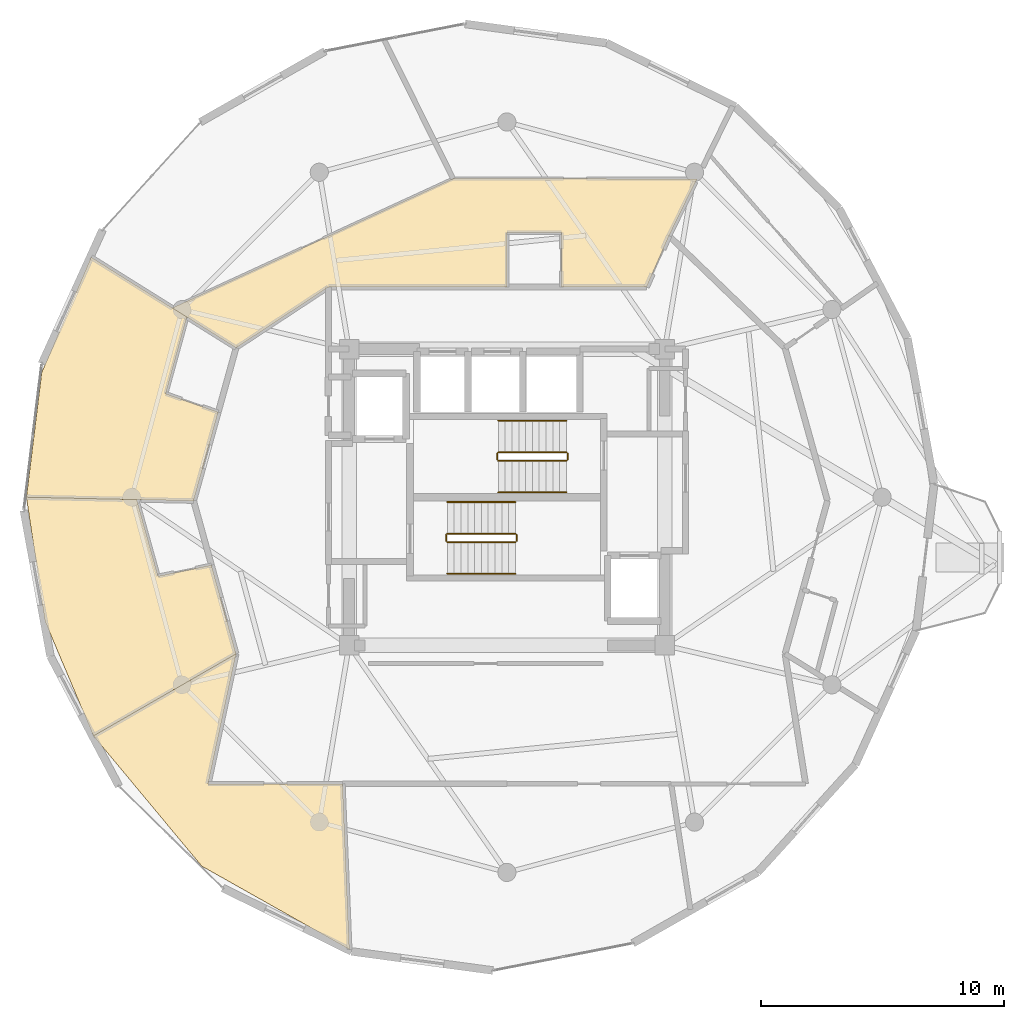
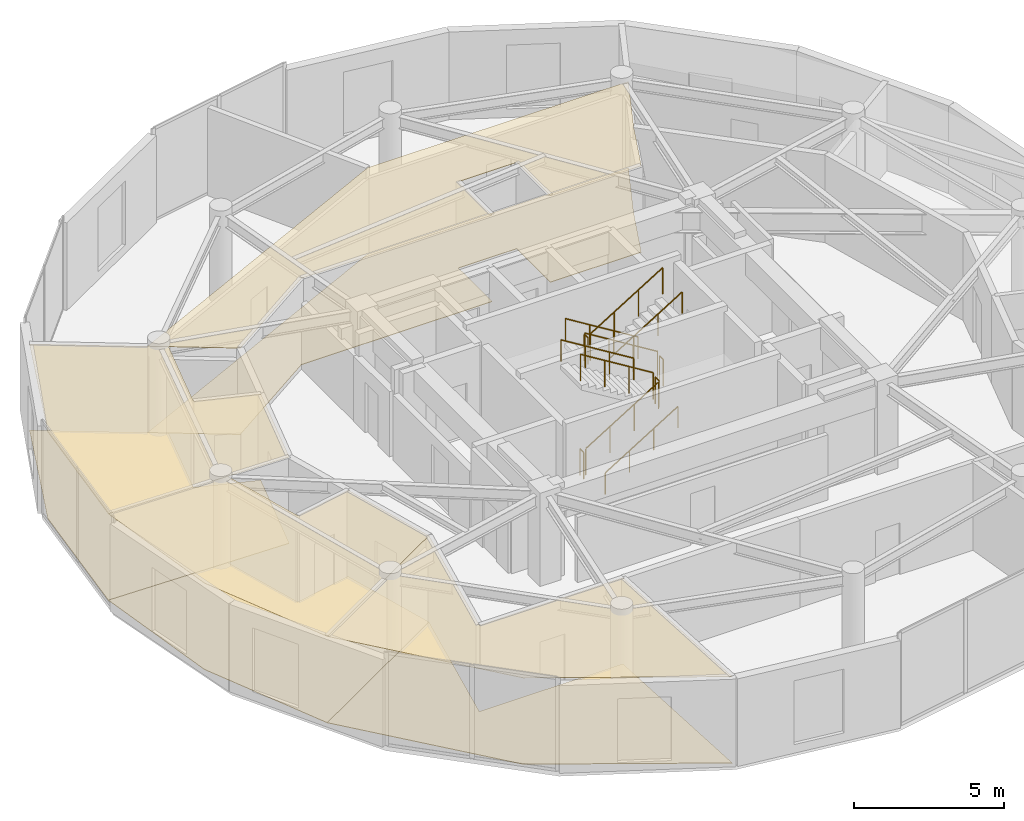
# One storey, part 17 of 18: 12 railings, 8 coverings.
"""IFC4 building model written with IfcOpenShell, lengths in metres."""

from ifc_helpers import new_model, si_unit, direction, frame, origin, origin_2d, place, context, subcontext, project, spatial, polyline, circle, outline, extrude, material, layer, layer_set, type_object, element, save


model = new_model("IFC4")

# Units and contexts
model_context = context("Model", 3, precision=1e-05, world=origin(), true_north=direction((0.0, 1.0)))
body_context = subcontext(model_context, "Body", "Model", "MODEL_VIEW")
ifc_project = project(units=[si_unit("LENGTHUNIT", "METRE"), si_unit("AREAUNIT", "SQUARE_METRE"), si_unit("VOLUMEUNIT", "CUBIC_METRE"), si_unit("PLANEANGLEUNIT", "RADIAN"), si_unit("MASSUNIT", "GRAM", prefix="KILO")], contexts=[model_context])

# Site, building, storey
site_placement = place(None, origin())
site = spatial("IfcSite", under=ifc_project, at=site_placement, CompositionType="ELEMENT")
building_placement = place(site_placement, origin())
building = spatial("IfcBuilding", under=site, at=building_placement, Name="Solvirekh Grand Hotel", CompositionType="ELEMENT")
storey_placement = place(building_placement, frame((0.0, 0.0, 274.39990234375)))
storey = spatial("IfcBuildingStorey", under=building, at=storey_placement, Name="L71", CompositionType="ELEMENT", Elevation=274.39990234375)

# Coverings
ifc_material_1 = material(Name="Acoustic Mineral Ceiling Tile")
ifc_layer_1 = layer(ifc_material_1, 0.02490234375)
ifc_layer_set_1 = layer_set([ifc_layer_1], Name="Acoustic Mineral Ceiling Tile")
covering_type_1 = type_object("IfcCoveringType", Name="Cov_Ceiling_Acoustic", PredefinedType="CEILING", material=ifc_layer_set_1)
covering_1_placement = place(storey_placement, frame((0.0, 0.0, 3.52001953125)))
element("IfcCovering", 1, at=covering_1_placement, inside=storey, type_object=covering_type_1, Name="L71 Panorama Suite 7301 Inner Suite Lounge acoustic ceiling", PredefinedType="CEILING", context=body_context, shape_type="SweptSolid", body=[
    extrude(outline(polyline([(0.0, 8.64990234375), (0.0, 10.89990234375), (2.25, 10.89990234375), (2.25, 8.64990234375), (5.75, 8.64990234375), (6.675048828125, 10.761962890625), (7.827880859375, 13.111083984375), (-2.217041015625, 13.117919921875), (-13.777099609375, 7.79296875), (-11.152099609375, 6.14990234375), (-7.35009765625, 8.64990234375), (0.0, 8.64990234375)])), origin(), (0.0, 0.0, 1.0), 0.01806640625),
])
covering_2_placement = place(storey_placement, frame((0.0, 0.0, 3.52001953125)))
element("IfcCovering", 2, at=covering_2_placement, inside=storey, type_object=covering_type_1, Name="L71 Deluxe Guestroom 7302 acoustic ceiling", PredefinedType="CEILING", context=body_context, shape_type="SweptSolid", body=[
    extrude(outline(polyline([(-14.0458984375, 4.261962890625), (-13.179931640625, 7.4189453125), (-17.117919921875, 9.883056640625), (-19.156005859375, 5.133056640625), (-19.784912109375, 0.0), (-12.89990234375, -0.14990234375), (-11.885986328125, 3.50390625), (-14.0458984375, 4.261962890625)])), origin(), (0.0, 0.0, 1.0), 0.01806640625),
])
covering_3_placement = place(storey_placement, frame((0.0, 0.0, 3.52001953125)))
element("IfcCovering", 3, at=covering_3_placement, inside=storey, type_object=covering_type_1, Name="L71 Deluxe Guestroom 7303 acoustic ceiling", PredefinedType="CEILING", context=body_context, shape_type="SweptSolid", body=[
    extrude(outline(polyline([(-14.362060546875, -3.2490234375), (-15.240966796875, -0.09912109375), (-19.784912109375, 0.0), (-19.02197265625, -5.096923828125), (-17.02392578125, -9.8291015625), (-11.152099609375, -6.449951171875), (-12.166015625, -2.7958984375), (-14.362060546875, -3.2490234375)])), origin(), (0.0, 0.0, 1.0), 0.01806640625),
])
covering_4_placement = place(storey_placement, frame((0.0, 0.0, 3.52001953125)))
element("IfcCovering", 4, at=covering_4_placement, inside=storey, type_object=covering_type_1, Name="L71 L71 Horizon View Lounge acoustic ceiling", PredefinedType="CEILING", context=body_context, shape_type="SweptSolid", body=[
    extrude(outline(polyline([(-17.02392578125, -9.8291015625), (-12.56689453125, -15.18994140625), (-6.48388671875, -18.6201171875), (-6.764892578125, -11.800048828125), (-12.300048828125, -11.800048828125), (-11.152099609375, -6.449951171875), (-17.02392578125, -9.8291015625)])), origin(), (0.0, 0.0, 1.0), 0.01806640625),
])
ifc_material_2 = material(Name="Porcelain Stoneware Flooring", Category="masonry")
ifc_layer_2 = layer(ifc_material_2, 0.030029296875)
ifc_layer_set_2 = layer_set([ifc_layer_2], Name="Porcelain Stoneware Flooring")
covering_type_2 = type_object("IfcCoveringType", Name="Cov_Floor_Stone", PredefinedType="FLOORING", material=ifc_layer_set_2)
covering_5_placement = place(storey_placement, origin())
element("IfcCovering", 5, at=covering_5_placement, inside=storey, type_object=covering_type_2, Name="L71 Panorama Suite 7301 Inner Suite Lounge polished granite flooring", PredefinedType="FLOORING", context=body_context, shape_type="SweptSolid", body=[
    extrude(outline(polyline([(0.0, 8.64990234375), (0.0, 10.89990234375), (2.25, 10.89990234375), (2.25, 8.64990234375), (5.75, 8.64990234375), (6.675048828125, 10.761962890625), (7.827880859375, 13.111083984375), (-2.217041015625, 13.117919921875), (-13.777099609375, 7.79296875), (-11.152099609375, 6.14990234375), (-7.35009765625, 8.64990234375), (0.0, 8.64990234375)])), origin(), (0.0, 0.0, 1.0), 0.02001953125),
])
covering_6_placement = place(storey_placement, origin())
element("IfcCovering", 6, at=covering_6_placement, inside=storey, type_object=covering_type_2, Name="L71 Deluxe Guestroom 7302 polished granite flooring", PredefinedType="FLOORING", context=body_context, shape_type="SweptSolid", body=[
    extrude(outline(polyline([(-14.0458984375, 4.261962890625), (-13.179931640625, 7.4189453125), (-17.117919921875, 9.883056640625), (-19.156005859375, 5.133056640625), (-19.784912109375, 0.0), (-12.89990234375, -0.14990234375), (-11.885986328125, 3.50390625), (-14.0458984375, 4.261962890625)])), origin(), (0.0, 0.0, 1.0), 0.02001953125),
])
covering_7_placement = place(storey_placement, origin())
element("IfcCovering", 7, at=covering_7_placement, inside=storey, type_object=covering_type_2, Name="L71 Deluxe Guestroom 7303 polished granite flooring", PredefinedType="FLOORING", context=body_context, shape_type="SweptSolid", body=[
    extrude(outline(polyline([(-14.362060546875, -3.2490234375), (-15.240966796875, -0.09912109375), (-19.784912109375, 0.0), (-19.02197265625, -5.096923828125), (-17.02392578125, -9.8291015625), (-11.152099609375, -6.449951171875), (-12.166015625, -2.7958984375), (-14.362060546875, -3.2490234375)])), origin(), (0.0, 0.0, 1.0), 0.02001953125),
])
covering_8_placement = place(storey_placement, origin())
element("IfcCovering", 8, at=covering_8_placement, inside=storey, type_object=covering_type_2, Name="L71 L71 Horizon View Lounge polished granite flooring", PredefinedType="FLOORING", context=body_context, shape_type="SweptSolid", body=[
    extrude(outline(polyline([(-17.02392578125, -9.8291015625), (-12.56689453125, -15.18994140625), (-6.48388671875, -18.6201171875), (-6.764892578125, -11.800048828125), (-12.300048828125, -11.800048828125), (-11.152099609375, -6.449951171875), (-17.02392578125, -9.8291015625)])), origin(), (0.0, 0.0, 1.0), 0.02001953125),
])

# Railings
ifc_material_3 = material(Name="Steel S355", Category="steel")
railing_type_1 = type_object("IfcRailingType", Name="Guard_Stair_1100", PredefinedType="GUARDRAIL", material=ifc_material_3)
railing_1_placement = place(storey_placement, frame((-2.449951171875, -1.85009765625, 0.1728515625)))
element("IfcRailing", 9, at=railing_1_placement, inside=storey, type_object=railing_type_1, Name="L71 ST-1 stair guard 1", PredefinedType="GUARDRAIL", context=body_context, shape_type="SweptSolid", body=[
    extrude(circle(Radius=0.02392578125, at=origin_2d()), frame((0.0, 0.0, 1.076171875), z_axis=(0.851089632645, 0.0, 0.525020415988), x_axis=(0.0, 1.0, 0.0)), (0.0, 0.0, 1.0), 3.2900390625),
    extrude(circle(Radius=0.02099609375, at=origin_2d()), origin(), (0.0, 0.0, 1.0), 1.052001953125),
    extrude(circle(Radius=0.02099609375, at=origin_2d()), frame((0.933349609375, 0.0, 0.57568359375)), (0.0, 0.0, 1.0), 1.052001953125),
    extrude(circle(Radius=0.02099609375, at=origin_2d()), frame((1.86669921875, 0.0, 1.151611328125)), (0.0, 0.0, 1.0), 1.052001953125),
    extrude(circle(Radius=0.02099609375, at=origin_2d()), frame((2.800048828125, 0.0, 1.727294921875)), (0.0, 0.0, 1.0), 1.052001953125),
])
railing_2_placement = place(storey_placement, frame((0.39990234375, -1.800048828125, 1.900146484375)))
element("IfcRailing", 10, at=railing_2_placement, inside=storey, type_object=railing_type_1, Name="L71 ST-1 stair guard 2", PredefinedType="GUARDRAIL", context=body_context, shape_type="SweptSolid", body=[
    extrude(circle(Radius=0.02392578125, at=origin_2d()), frame((0.0, 0.0, 1.076171875), z_axis=(0.0, 1.0, 0.0), x_axis=(-1.0, 0.0, 0.0)), (0.0, 0.0, 1.0), 0.25),
    extrude(circle(Radius=0.02099609375, at=origin_2d()), origin(), (0.0, 0.0, 1.0), 1.052001953125),
    extrude(circle(Radius=0.02099609375, at=origin_2d()), frame((0.0, 0.25, 0.0)), (0.0, 0.0, 1.0), 1.052001953125),
])
railing_3_placement = place(storey_placement, frame((0.35009765625, -1.5, 2.07275390625)))
element("IfcRailing", 11, at=railing_3_placement, inside=storey, type_object=railing_type_1, Name="L71 ST-1 stair guard 3", PredefinedType="GUARDRAIL", context=body_context, shape_type="SweptSolid", body=[
    extrude(circle(Radius=0.02392578125, at=origin_2d()), frame((0.0, 0.0, 1.076171875), z_axis=(-0.851089632645, 0.0, 0.525020415988), x_axis=(0.0, -1.0, 0.0)), (0.0, 0.0, 1.0), 3.2900390625),
    extrude(circle(Radius=0.02099609375, at=origin_2d()), origin(), (0.0, 0.0, 1.0), 1.052001953125),
    extrude(circle(Radius=0.02099609375, at=origin_2d()), frame((-0.933349609375, 0.0, 0.57568359375)), (0.0, 0.0, 1.0), 1.052001953125),
    extrude(circle(Radius=0.02099609375, at=origin_2d()), frame((-1.86669921875, 0.0, 1.151611328125)), (0.0, 0.0, 1.0), 1.052001953125),
    extrude(circle(Radius=0.02099609375, at=origin_2d()), frame((-2.800048828125, 0.0, 1.727294921875)), (0.0, 0.0, 1.0), 1.052001953125),
])
railing_4_placement = place(storey_placement, frame((-2.5, -1.800048828125, 0.0)))
element("IfcRailing", 12, at=railing_4_placement, inside=storey, type_object=railing_type_1, Name="L71 ST-1 stair guard 4", PredefinedType="GUARDRAIL", context=body_context, shape_type="SweptSolid", body=[
    extrude(circle(Radius=0.02392578125, at=origin_2d()), frame((0.0, 0.0, 1.076171875), z_axis=(0.0, 1.0, 0.0), x_axis=(-1.0, 0.0, 0.0)), (0.0, 0.0, 1.0), 0.25),
    extrude(circle(Radius=0.02099609375, at=origin_2d()), origin(), (0.0, 0.0, 1.0), 1.052001953125),
    extrude(circle(Radius=0.02099609375, at=origin_2d()), frame((0.0, 0.25, 0.0)), (0.0, 0.0, 1.0), 1.052001953125),
])
railing_5_placement = place(storey_placement, frame((2.449951171875, 1.85009765625, 0.1728515625)))
element("IfcRailing", 13, at=railing_5_placement, inside=storey, type_object=railing_type_1, Name="L71 ST-2 stair guard 1", PredefinedType="GUARDRAIL", context=body_context, shape_type="SweptSolid", body=[
    extrude(circle(Radius=0.02392578125, at=origin_2d()), frame((0.0, 0.0, 1.076171875), z_axis=(-0.851089632645, 0.0, 0.525020415988), x_axis=(0.0, -1.0, 0.0)), (0.0, 0.0, 1.0), 3.2900390625),
    extrude(circle(Radius=0.02099609375, at=origin_2d()), origin(), (0.0, 0.0, 1.0), 1.052001953125),
    extrude(circle(Radius=0.02099609375, at=origin_2d()), frame((-0.933349609375, 0.0, 0.57568359375)), (0.0, 0.0, 1.0), 1.052001953125),
    extrude(circle(Radius=0.02099609375, at=origin_2d()), frame((-1.86669921875, 0.0, 1.151611328125)), (0.0, 0.0, 1.0), 1.052001953125),
    extrude(circle(Radius=0.02099609375, at=origin_2d()), frame((-2.800048828125, 0.0, 1.727294921875)), (0.0, 0.0, 1.0), 1.052001953125),
])
railing_6_placement = place(storey_placement, frame((-0.39990234375, 1.800048828125, 1.900146484375)))
element("IfcRailing", 14, at=railing_6_placement, inside=storey, type_object=railing_type_1, Name="L71 ST-2 stair guard 2", PredefinedType="GUARDRAIL", context=body_context, shape_type="SweptSolid", body=[
    extrude(circle(Radius=0.02392578125, at=origin_2d()), frame((0.0, 0.0, 1.076171875), z_axis=(0.0, -1.0, 0.0), x_axis=(1.0, 0.0, 0.0)), (0.0, 0.0, 1.0), 0.25),
    extrude(circle(Radius=0.02099609375, at=origin_2d()), origin(), (0.0, 0.0, 1.0), 1.052001953125),
    extrude(circle(Radius=0.02099609375, at=origin_2d()), frame((0.0, -0.25, 0.0)), (0.0, 0.0, 1.0), 1.052001953125),
])
railing_7_placement = place(storey_placement, frame((-0.35009765625, 1.5, 2.07275390625)))
element("IfcRailing", 15, at=railing_7_placement, inside=storey, type_object=railing_type_1, Name="L71 ST-2 stair guard 3", PredefinedType="GUARDRAIL", context=body_context, shape_type="SweptSolid", body=[
    extrude(circle(Radius=0.02392578125, at=origin_2d()), frame((0.0, 0.0, 1.076171875), z_axis=(0.851089632645, 0.0, 0.525020415988), x_axis=(0.0, 1.0, 0.0)), (0.0, 0.0, 1.0), 3.2900390625),
    extrude(circle(Radius=0.02099609375, at=origin_2d()), origin(), (0.0, 0.0, 1.0), 1.052001953125),
    extrude(circle(Radius=0.02099609375, at=origin_2d()), frame((0.933349609375, 0.0, 0.57568359375)), (0.0, 0.0, 1.0), 1.052001953125),
    extrude(circle(Radius=0.02099609375, at=origin_2d()), frame((1.86669921875, 0.0, 1.151611328125)), (0.0, 0.0, 1.0), 1.052001953125),
    extrude(circle(Radius=0.02099609375, at=origin_2d()), frame((2.800048828125, 0.0, 1.727294921875)), (0.0, 0.0, 1.0), 1.052001953125),
])
railing_8_placement = place(storey_placement, frame((2.5, 1.800048828125, 0.0)))
element("IfcRailing", 16, at=railing_8_placement, inside=storey, type_object=railing_type_1, Name="L71 ST-2 stair guard 4", PredefinedType="GUARDRAIL", context=body_context, shape_type="SweptSolid", body=[
    extrude(circle(Radius=0.02392578125, at=origin_2d()), frame((0.0, 0.0, 1.076171875), z_axis=(0.0, -1.0, 0.0), x_axis=(1.0, 0.0, 0.0)), (0.0, 0.0, 1.0), 0.25),
    extrude(circle(Radius=0.02099609375, at=origin_2d()), origin(), (0.0, 0.0, 1.0), 1.052001953125),
    extrude(circle(Radius=0.02099609375, at=origin_2d()), frame((0.0, -0.25, 0.0)), (0.0, 0.0, 1.0), 1.052001953125),
])
ifc_material_4 = material(Name="Anodized Bronze Aluminium 6063-T6", Category="aluminium")
railing_type_2 = type_object("IfcRailingType", Name="Handrail_Wall_900", PredefinedType="HANDRAIL", material=ifc_material_4)
railing_9_placement = place(storey_placement, frame((-2.449951171875, -3.14990234375, 0.1728515625)))
element("IfcRailing", 17, at=railing_9_placement, inside=storey, type_object=railing_type_2, Name="L71 ST-1 stair handrail 1", PredefinedType="HANDRAIL", context=body_context, shape_type="SweptSolid", body=[
    extrude(circle(Radius=0.02392578125, at=origin_2d()), frame((0.0, 0.0, 0.8759765625), z_axis=(0.851089632645, 0.0, 0.525020415988), x_axis=(0.0, 1.0, 0.0)), (0.0, 0.0, 1.0), 3.2900390625),
    extrude(circle(Radius=0.02099609375, at=origin_2d()), origin(), (0.0, 0.0, 1.0), 0.851806640625),
    extrude(circle(Radius=0.02099609375, at=origin_2d()), frame((0.933349609375, 0.0, 0.57568359375)), (0.0, 0.0, 1.0), 0.851806640625),
    extrude(circle(Radius=0.02099609375, at=origin_2d()), frame((1.86669921875, 0.0, 1.151611328125)), (0.0, 0.0, 1.0), 0.851806640625),
    extrude(circle(Radius=0.02099609375, at=origin_2d()), frame((2.800048828125, 0.0, 1.727294921875)), (0.0, 0.0, 1.0), 0.851806640625),
])
for number, where, name in (
    (18, (0.35009765625, -0.199951171875, 2.07275390625), "L71 ST-1 stair handrail 2"),
    (19, (2.449951171875, 3.14990234375, 0.1728515625), "L71 ST-2 stair handrail 1"),
):
    element("IfcRailing", number, at=place(storey_placement, frame(where)), inside=storey, type_object=railing_type_2, Name=name, PredefinedType="HANDRAIL", context=body_context, shape_type="SweptSolid", body=[
        extrude(circle(Radius=0.02392578125, at=origin_2d()), frame((0.0, 0.0, 0.8759765625), z_axis=(-0.851089632645, 0.0, 0.525020415988), x_axis=(0.0, -1.0, 0.0)), (0.0, 0.0, 1.0), 3.2900390625),
        extrude(circle(Radius=0.02099609375, at=origin_2d()), origin(), (0.0, 0.0, 1.0), 0.851806640625),
        extrude(circle(Radius=0.02099609375, at=origin_2d()), frame((-0.933349609375, 0.0, 0.57568359375)), (0.0, 0.0, 1.0), 0.851806640625),
        extrude(circle(Radius=0.02099609375, at=origin_2d()), frame((-1.86669921875, 0.0, 1.151611328125)), (0.0, 0.0, 1.0), 0.851806640625),
        extrude(circle(Radius=0.02099609375, at=origin_2d()), frame((-2.800048828125, 0.0, 1.727294921875)), (0.0, 0.0, 1.0), 0.851806640625),
    ])
railing_10_placement = place(storey_placement, frame((-0.35009765625, 0.199951171875, 2.07275390625)))
element("IfcRailing", 20, at=railing_10_placement, inside=storey, type_object=railing_type_2, Name="L71 ST-2 stair handrail 2", PredefinedType="HANDRAIL", context=body_context, shape_type="SweptSolid", body=[
    extrude(circle(Radius=0.02392578125, at=origin_2d()), frame((0.0, 0.0, 0.8759765625), z_axis=(0.851089632645, 0.0, 0.525020415988), x_axis=(0.0, 1.0, 0.0)), (0.0, 0.0, 1.0), 3.2900390625),
    extrude(circle(Radius=0.02099609375, at=origin_2d()), origin(), (0.0, 0.0, 1.0), 0.851806640625),
    extrude(circle(Radius=0.02099609375, at=origin_2d()), frame((0.933349609375, 0.0, 0.57568359375)), (0.0, 0.0, 1.0), 0.851806640625),
    extrude(circle(Radius=0.02099609375, at=origin_2d()), frame((1.86669921875, 0.0, 1.151611328125)), (0.0, 0.0, 1.0), 0.851806640625),
    extrude(circle(Radius=0.02099609375, at=origin_2d()), frame((2.800048828125, 0.0, 1.727294921875)), (0.0, 0.0, 1.0), 0.851806640625),
])

save(model, "model.ifc")
